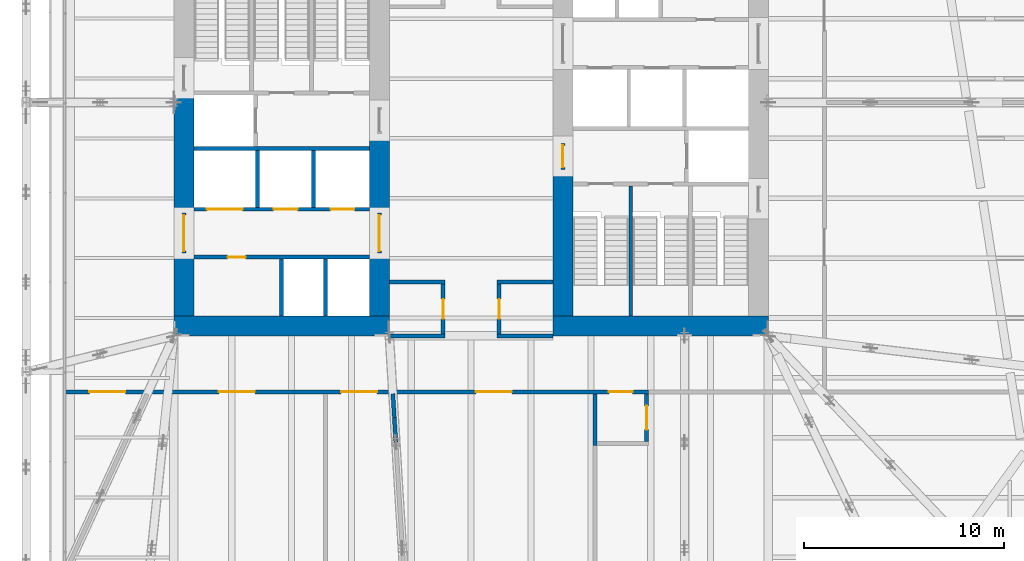
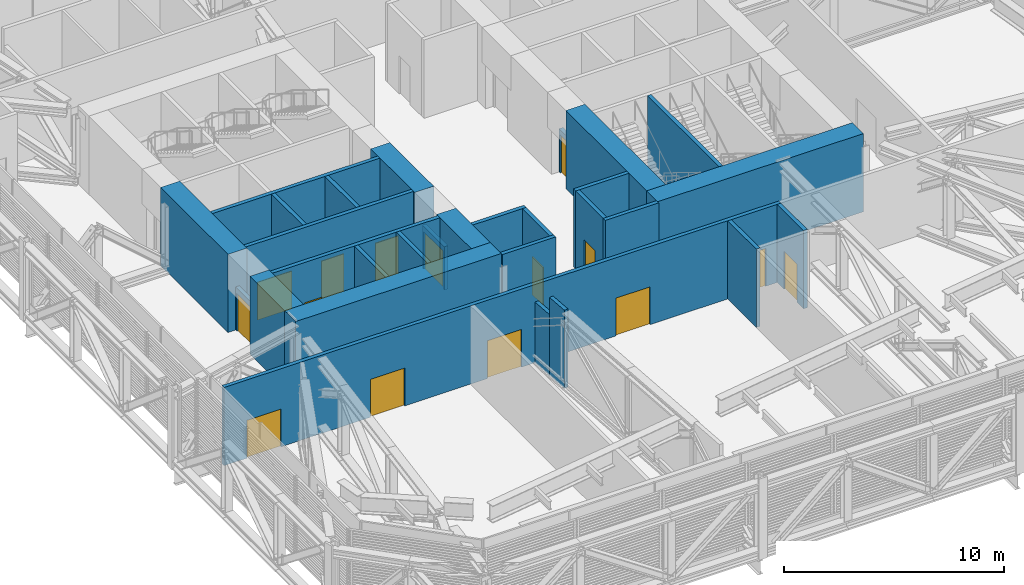
# One storey, part 21 of 31: 29 walls, 15 doors, 15 openings.
"""IFC4 building model written with IfcOpenShell, lengths in metres."""

from ifc_helpers import new_model, si_unit, direction, frame, frame_2d, origin, place, context, subcontext, project, spatial, rectangle, extrude, material, layer, layer_set, type_object, element, fill, save


model = new_model("IFC4")

# Units and contexts
model_context = context("Model", 3, precision=1e-05, world=origin(), true_north=direction((0.0, 1.0)))
body_context = subcontext(model_context, "Body", "Model", "MODEL_VIEW")
ifc_project = project(units=[si_unit("LENGTHUNIT", "METRE"), si_unit("AREAUNIT", "SQUARE_METRE"), si_unit("VOLUMEUNIT", "CUBIC_METRE"), si_unit("PLANEANGLEUNIT", "RADIAN"), si_unit("MASSUNIT", "GRAM", prefix="KILO")], contexts=[model_context])

# Site, building, storey
site_placement = place(None, origin())
site = spatial("IfcSite", under=ifc_project, at=site_placement, CompositionType="ELEMENT")
building_placement = place(site_placement, origin())
building = spatial("IfcBuilding", under=site, at=building_placement, Name="Millrace Tower", CompositionType="ELEMENT")
storey_placement = place(building_placement, frame((0.0, 0.0, 120.39990234375)))
storey = spatial("IfcBuildingStorey", under=building, at=storey_placement, Name="L26", CompositionType="ELEMENT", Elevation=120.39990234375)

# Walls
ifc_material_1 = material(Name="Concrete C80", Category="concrete")
ifc_layer_1 = layer(ifc_material_1, 1.0)
ifc_layer_set_1 = layer_set([ifc_layer_1], Name="Concrete C80")
wall_type_1 = type_object("IfcWallType", Name="Core wall 1000 Concrete C80", PredefinedType="SHEAR", material=ifc_layer_set_1)
wall_1_placement = place(storey_placement, frame((-14.89990234375, -9.39990234375, 0.0), z_axis=(0.0, 0.0, 1.0), x_axis=(1.0, 0.0, 0.0)))
element("IfcWall", 1, at=wall_1_placement, inside=storey, type_object=wall_type_1, Name="Core wall W L26", PredefinedType="SHEAR", context=body_context, shape_type="SweptSolid", body=[
    extrude(rectangle(XDim=10.7998046875, YDim=1.0, at=frame_2d((5.39990234375, 0.0))), origin(), (0.0, 0.0, 1.0), 4.340087890625),
])
wall_2_placement = place(storey_placement, frame((-14.39990234375, -8.89990234375, 0.0), z_axis=(0.0, 0.0, 1.0), x_axis=(0.0, 1.0, 0.0)))
element("IfcWall", 2, at=wall_2_placement, inside=storey, type_object=wall_type_1, Name="Core wall W L26", PredefinedType="SHEAR", context=body_context, shape_type="SweptSolid", body=[
    extrude(rectangle(XDim=3.14990234375, YDim=1.0, at=frame_2d((1.574951171875, 0.0))), origin(), (0.0, 0.0, 1.0), 4.340087890625),
])
wall_3_placement = place(storey_placement, frame((-14.39990234375, -3.75, 0.0), z_axis=(0.0, 0.0, 1.0), x_axis=(0.0, 1.0, 0.0)))
element("IfcWall", 3, at=wall_3_placement, inside=storey, type_object=wall_type_1, Name="Core wall W L26", PredefinedType="SHEAR", context=body_context, shape_type="SweptSolid", body=[
    extrude(rectangle(XDim=6.1298828125, YDim=1.0, at=frame_2d((3.06494140625, 0.0))), origin(), (0.0, 0.0, 1.0), 4.340087890625),
])
wall_4_placement = place(storey_placement, frame((-4.60009765625, -8.89990234375, 0.0), z_axis=(0.0, 0.0, 1.0), x_axis=(0.0, 1.0, 0.0)))
element("IfcWall", 4, at=wall_4_placement, inside=storey, type_object=wall_type_1, Name="Core wall W L26", PredefinedType="SHEAR", context=body_context, shape_type="SweptSolid", body=[
    extrude(rectangle(XDim=3.14990234375, YDim=1.0, at=frame_2d((1.574951171875, 0.0))), origin(), (0.0, 0.0, 1.0), 4.340087890625),
])
wall_5_placement = place(storey_placement, frame((-4.60009765625, -3.75, 0.0), z_axis=(0.0, 0.0, 1.0), x_axis=(0.0, 1.0, 0.0)))
element("IfcWall", 5, at=wall_5_placement, inside=storey, type_object=wall_type_1, Name="Core wall W L26", PredefinedType="SHEAR", context=body_context, shape_type="SweptSolid", body=[
    extrude(rectangle(XDim=4.0, YDim=1.0, at=frame_2d((2.0, 0.0))), origin(), (0.0, 0.0, 1.0), 4.340087890625),
])
wall_6_placement = place(storey_placement, frame((14.89990234375, -9.39990234375, 0.0), z_axis=(0.0, 0.0, 1.0), x_axis=(-1.0, 0.0, 0.0)))
element("IfcWall", 6, at=wall_6_placement, inside=storey, type_object=wall_type_1, Name="Core wall E L26", PredefinedType="SHEAR", context=body_context, shape_type="SweptSolid", body=[
    extrude(rectangle(XDim=10.7998046875, YDim=1.0, at=frame_2d((5.39990234375, 0.0))), origin(), (0.0, 0.0, 1.0), 4.340087890625),
])
wall_7_placement = place(storey_placement, frame((4.60009765625, -1.550048828125, 0.0), z_axis=(0.0, 0.0, 1.0), x_axis=(0.0, -1.0, 0.0)))
element("IfcWall", 7, at=wall_7_placement, inside=storey, type_object=wall_type_1, Name="Core wall E L26", PredefinedType="SHEAR", context=body_context, shape_type="SweptSolid", body=[
    extrude(rectangle(XDim=7.349853515625, YDim=1.0, at=frame_2d((3.6748046875, 0.0))), origin(), (0.0, 0.0, 1.0), 4.340087890625),
])
ifc_material_2 = material(Name="Masonry partition, fire-rated", Category="masonry")
ifc_layer_2 = layer(ifc_material_2, 0.199951171875)
ifc_layer_set_2 = layer_set([ifc_layer_2], Name="Masonry partition, fire-rated")
wall_type_2 = type_object("IfcWallType", Name="Corridor wall 200", PredefinedType="PARTITIONING", material=ifc_layer_set_2)
wall_8_placement = place(storey_placement, frame((-3.923095703125, -12.7998046875, 0.0), z_axis=(0.0, 0.0, 1.0), x_axis=(0.060961327081, -0.99814012874, 0.0)))
element("IfcWall", 8, at=wall_8_placement, inside=storey, type_object=wall_type_2, Name="Corridor wall L26", PredefinedType="PARTITIONING", context=body_context, shape_type="SweptSolid", body=[
    extrude(rectangle(XDim=1.201416015625, YDim=0.199951171875, at=frame_2d((0.6005859375, 0.0))), origin(), (0.0, 0.0, 1.0), 3.382568359375),
])
wall_9_placement = place(storey_placement, frame((-3.849853515625, -13.9990234375, 0.0), z_axis=(0.0, 0.0, 1.0), x_axis=(0.061017119263, -0.998136719672, 0.0)))
element("IfcWall", 9, at=wall_9_placement, inside=storey, type_object=wall_type_2, Name="Corridor wall L26", PredefinedType="PARTITIONING", context=body_context, shape_type="SweptSolid", body=[
    extrude(rectangle(XDim=1.228271484375, YDim=0.199951171875, at=frame_2d((0.6142578125, 0.0))), origin(), (0.0, 0.0, 1.0), 4.340087890625),
])

# Wall, openings, doors
wall_10_placement = place(storey_placement, frame((-20.330078125, -12.699951171875, 0.0), z_axis=(0.0, 0.0, 1.0), x_axis=(1.0, 0.0, 0.0)))
wall_10 = element("IfcWall", 10, at=wall_10_placement, inside=storey, type_object=wall_type_2, Name="Corridor wall L26", PredefinedType="PARTITIONING", context=body_context, shape_type="SweptSolid", body=[
    extrude(rectangle(XDim=29.22998046875, YDim=0.199951171875, at=frame_2d((14.614990234375, 0.0))), origin(), (0.0, 0.0, 1.0), 4.340087890625),
])
opening_1_placement = place(wall_10_placement, frame((1.19775390625, 0.0, 0.0)))
opening_1 = element("IfcOpeningElement", 11, at=opening_1_placement, cuts=wall_10, Name="Opening 26-P005", PredefinedType="OPENING", context=body_context, shape_type="SweptSolid", body=[
    extrude(rectangle(XDim=1.800048828125, YDim=2.10009765625, at=frame_2d((0.89990234375, 1.050048828125))), frame((0.0, 0.10986328125, 0.0), z_axis=(0.0, -1.0, 0.0), x_axis=(1.0, 0.0, 0.0)), (0.0, 0.0, 1.0), 0.219970703125),
])
opening_2_placement = place(wall_10_placement, frame((7.687744140625, 0.0, 0.0)))
opening_2 = element("IfcOpeningElement", 12, at=opening_2_placement, cuts=wall_10, Name="Opening 26-P006", PredefinedType="OPENING", context=body_context, shape_type="SweptSolid", body=[
    extrude(rectangle(XDim=1.800048828125, YDim=2.10009765625, at=frame_2d((0.89990234375, 1.050048828125))), frame((0.0, 0.10986328125, 0.0), z_axis=(0.0, -1.0, 0.0), x_axis=(1.0, 0.0, 0.0)), (0.0, 0.0, 1.0), 0.219970703125),
])
opening_3_placement = place(wall_10_placement, frame((13.8154296875, 0.0, 0.0)))
opening_3 = element("IfcOpeningElement", 13, at=opening_3_placement, cuts=wall_10, Name="Opening 26-P007", PredefinedType="OPENING", context=body_context, shape_type="SweptSolid", body=[
    extrude(rectangle(XDim=1.800048828125, YDim=2.10009765625, at=frame_2d((0.89990234375, 1.050048828125))), frame((0.0, 0.10986328125, 0.0), z_axis=(0.0, -1.0, 0.0), x_axis=(1.0, 0.0, 0.0)), (0.0, 0.0, 1.0), 0.219970703125),
])
opening_4_placement = place(wall_10_placement, frame((20.5654296875, 0.0, 0.0)))
opening_4 = element("IfcOpeningElement", 14, at=opening_4_placement, cuts=wall_10, Name="Opening 26-P008", PredefinedType="OPENING", context=body_context, shape_type="SweptSolid", body=[
    extrude(rectangle(XDim=1.800048828125, YDim=2.10009765625, at=frame_2d((0.89990234375, 1.050048828125))), frame((0.0, 0.10986328125, 0.0), z_axis=(0.0, -1.0, 0.0), x_axis=(1.0, 0.0, 0.0)), (0.0, 0.0, 1.0), 0.219970703125),
])
opening_5_placement = place(wall_10_placement, frame((27.22998046875, 0.0, 0.0)))
opening_5 = element("IfcOpeningElement", 15, at=opening_5_placement, cuts=wall_10, Name="Opening 26-P010", PredefinedType="OPENING", context=body_context, shape_type="SweptSolid", body=[
    extrude(rectangle(XDim=1.199951171875, YDim=2.10009765625, at=frame_2d((0.60009765625, 1.050048828125))), frame((0.0, 0.10986328125, 0.0), z_axis=(0.0, -1.0, 0.0), x_axis=(1.0, 0.0, 0.0)), (0.0, 0.0, 1.0), 0.219970703125),
])
ifc_material_3 = material(Name="Steel door set, fire-rated", Category="steel")
door_type_1 = type_object("IfcDoorType", Name="Corridor door 1200 x 2100", OperationType="SINGLE_SWING_LEFT", PredefinedType="DOOR", material=ifc_material_3)
door_1_placement = place(opening_5_placement, frame((1.199951171875, 0.0, 0.0), z_axis=(0.0, 0.0, 1.0), x_axis=(-1.0, 0.0, 0.0)))
door_1 = element("IfcDoor", 16, at=door_1_placement, inside=storey, type_object=door_type_1, Name="Door 26-P010", OperationType="SINGLE_SWING_LEFT", OverallHeight=2.10009765625, OverallWidth=1.199951171875, PredefinedType="DOOR", context=body_context, shape_type="SweptSolid", body=[
    extrude(rectangle(XDim=1.199951171875, YDim=2.10009765625, at=frame_2d((0.60009765625, 1.050048828125))), frame((0.0, 0.02490234375, 0.0), z_axis=(0.0, -1.0, 0.0), x_axis=(1.0, 0.0, 0.0)), (0.0, 0.0, 1.0), 0.050048828125),
])
fill(opening_5, door_1)
ifc_material_4 = material(Name="Steel door set, fire-rated", Category="steel")
door_type_2 = type_object("IfcDoorType", Name="Plant room door 1800 x 2100", OperationType="DOUBLE_DOOR_SINGLE_SWING", PredefinedType="DOOR", material=ifc_material_4)
door_2_placement = place(opening_1_placement, frame((1.800048828125, 0.0, 0.0), z_axis=(0.0, 0.0, 1.0), x_axis=(-1.0, 0.0, 0.0)))
door_2 = element("IfcDoor", 17, at=door_2_placement, inside=storey, type_object=door_type_2, Name="Door 26-P005", OperationType="DOUBLE_DOOR_SINGLE_SWING", OverallHeight=2.10009765625, OverallWidth=1.800048828125, PredefinedType="DOOR", context=body_context, shape_type="SweptSolid", body=[
    extrude(rectangle(XDim=1.800048828125, YDim=2.10009765625, at=frame_2d((0.89990234375, 1.050048828125))), frame((0.0, 0.02490234375, 0.0), z_axis=(0.0, -1.0, 0.0), x_axis=(1.0, 0.0, 0.0)), (0.0, 0.0, 1.0), 0.050048828125),
])
fill(opening_1, door_2)
door_3_placement = place(opening_2_placement, frame((1.800048828125, 0.0, 0.0), z_axis=(0.0, 0.0, 1.0), x_axis=(-1.0, 0.0, 0.0)))
door_3 = element("IfcDoor", 18, at=door_3_placement, inside=storey, type_object=door_type_2, Name="Door 26-P006", OperationType="DOUBLE_DOOR_SINGLE_SWING", OverallHeight=2.10009765625, OverallWidth=1.800048828125, PredefinedType="DOOR", context=body_context, shape_type="SweptSolid", body=[
    extrude(rectangle(XDim=1.800048828125, YDim=2.10009765625, at=frame_2d((0.89990234375, 1.050048828125))), frame((0.0, 0.02490234375, 0.0), z_axis=(0.0, -1.0, 0.0), x_axis=(1.0, 0.0, 0.0)), (0.0, 0.0, 1.0), 0.050048828125),
])
fill(opening_2, door_3)
door_4_placement = place(opening_3_placement, frame((1.800048828125, 0.0, 0.0), z_axis=(0.0, 0.0, 1.0), x_axis=(-1.0, 0.0, 0.0)))
door_4 = element("IfcDoor", 19, at=door_4_placement, inside=storey, type_object=door_type_2, Name="Door 26-P007", OperationType="DOUBLE_DOOR_SINGLE_SWING", OverallHeight=2.10009765625, OverallWidth=1.800048828125, PredefinedType="DOOR", context=body_context, shape_type="SweptSolid", body=[
    extrude(rectangle(XDim=1.800048828125, YDim=2.10009765625, at=frame_2d((0.89990234375, 1.050048828125))), frame((0.0, 0.02490234375, 0.0), z_axis=(0.0, -1.0, 0.0), x_axis=(1.0, 0.0, 0.0)), (0.0, 0.0, 1.0), 0.050048828125),
])
fill(opening_3, door_4)
door_5_placement = place(opening_4_placement, frame((1.800048828125, 0.0, 0.0), z_axis=(0.0, 0.0, 1.0), x_axis=(-1.0, 0.0, 0.0)))
door_5 = element("IfcDoor", 20, at=door_5_placement, inside=storey, type_object=door_type_2, Name="Door 26-P008", OperationType="DOUBLE_DOOR_SINGLE_SWING", OverallHeight=2.10009765625, OverallWidth=1.800048828125, PredefinedType="DOOR", context=body_context, shape_type="SweptSolid", body=[
    extrude(rectangle(XDim=1.800048828125, YDim=2.10009765625, at=frame_2d((0.89990234375, 1.050048828125))), frame((0.0, 0.02490234375, 0.0), z_axis=(0.0, -1.0, 0.0), x_axis=(1.0, 0.0, 0.0)), (0.0, 0.0, 1.0), 0.050048828125),
])
fill(opening_4, door_5)

# Walls
for number, where, z_axis, x_axis, name in (
    (21, (-4.10009765625, -9.89990234375, 0.0), (0.0, 0.0, 1.0), (1.0, 0.0, 0.0), "Corridor wall L26"),
    (22, (1.300048828125, -9.89990234375, 0.0), (0.0, 0.0, 1.0), (1.0, 0.0, 0.0), "Corridor wall L26"),
    (23, (-4.10009765625, -7.199951171875, 0.0), (0.0, 0.0, 1.0), (1.0, 0.0, 0.0), "Corridor wall L26"),
    (24, (1.300048828125, -7.199951171875, 0.0), (0.0, 0.0, 1.0), (1.0, 0.0, 0.0), "Corridor wall L26"),
):
    element("IfcWall", number, at=place(storey_placement, frame(where, z_axis=z_axis, x_axis=x_axis)), inside=storey, type_object=wall_type_2, Name=name, PredefinedType="PARTITIONING", context=body_context, shape_type="SweptSolid", body=[
        extrude(rectangle(XDim=2.800048828125, YDim=0.199951171875, at=frame_2d((1.39990234375, 0.0))), origin(), (0.0, 0.0, 1.0), 4.340087890625),
    ])
wall_11_placement = place(storey_placement, frame((6.199951171875, -15.39990234375, 0.0), z_axis=(0.0, 0.0, 1.0), x_axis=(0.0, 1.0, 0.0)))
element("IfcWall", 25, at=wall_11_placement, inside=storey, type_object=wall_type_2, Name="Corridor wall L26", PredefinedType="PARTITIONING", context=body_context, shape_type="SweptSolid", body=[
    extrude(rectangle(XDim=2.599853515625, YDim=0.199951171875, at=frame_2d((1.2998046875, 0.0))), origin(), (0.0, 0.0, 1.0), 4.340087890625),
])

# Wall, opening, door
wall_12_placement = place(storey_placement, frame((1.39990234375, -9.800048828125, 0.0), z_axis=(0.0, 0.0, 1.0), x_axis=(0.0, 1.0, 0.0)))
wall_12 = element("IfcWall", 26, at=wall_12_placement, inside=storey, type_object=wall_type_2, Name="Corridor wall L26", PredefinedType="PARTITIONING", context=body_context, shape_type="SweptSolid", body=[
    extrude(rectangle(XDim=2.5, YDim=0.199951171875, at=frame_2d((1.25, 0.0))), origin(), (0.0, 0.0, 1.0), 4.340087890625),
])
opening_6_placement = place(wall_12_placement, frame((0.75, 0.0, 0.0)))
opening_6 = element("IfcOpeningElement", 27, at=opening_6_placement, cuts=wall_12, Name="Opening 26-P004", PredefinedType="OPENING", context=body_context, shape_type="SweptSolid", body=[
    extrude(rectangle(XDim=1.0, YDim=2.10009765625, at=frame_2d((0.5, 1.050048828125))), frame((0.0, 0.10986328125, 0.0), z_axis=(0.0, -1.0, 0.0), x_axis=(1.0, 0.0, 0.0)), (0.0, 0.0, 1.0), 0.219970703125),
])
ifc_material_5 = material(Name="Steel door set, fire-rated", Category="steel")
door_type_3 = type_object("IfcDoorType", Name="Corridor door 1000 x 2100", OperationType="SINGLE_SWING_LEFT", PredefinedType="DOOR", material=ifc_material_5)
door_6_placement = place(opening_6_placement, frame((1.0, 0.0, 0.0), z_axis=(0.0, 0.0, 1.0), x_axis=(-1.0, 0.0, 0.0)))
door_6 = element("IfcDoor", 28, at=door_6_placement, inside=storey, type_object=door_type_3, Name="Door 26-P004", OperationType="SINGLE_SWING_LEFT", OverallHeight=2.10009765625, OverallWidth=1.0, PredefinedType="DOOR", context=body_context, shape_type="SweptSolid", body=[
    extrude(rectangle(XDim=1.0, YDim=2.10009765625, at=frame_2d((0.5, 1.050048828125))), frame((0.0, 0.02490234375, 0.0), z_axis=(0.0, -1.0, 0.0), x_axis=(1.0, 0.0, 0.0)), (0.0, 0.0, 1.0), 0.050048828125),
])
fill(opening_6, door_6)

wall_13_placement = place(storey_placement, frame((-1.39990234375, -9.800048828125, 0.0), z_axis=(0.0, 0.0, 1.0), x_axis=(0.0, 1.0, 0.0)))
wall_13 = element("IfcWall", 29, at=wall_13_placement, inside=storey, type_object=wall_type_2, Name="Corridor wall L26", PredefinedType="PARTITIONING", context=body_context, shape_type="SweptSolid", body=[
    extrude(rectangle(XDim=2.5, YDim=0.199951171875, at=frame_2d((1.25, 0.0))), origin(), (0.0, 0.0, 1.0), 4.340087890625),
])
opening_7_placement = place(wall_13_placement, frame((0.75, 0.0, 0.0)))
opening_7 = element("IfcOpeningElement", 30, at=opening_7_placement, cuts=wall_13, Name="Opening 26-P003", PredefinedType="OPENING", context=body_context, shape_type="SweptSolid", body=[
    extrude(rectangle(XDim=1.0, YDim=2.10009765625, at=frame_2d((0.5, 1.050048828125))), frame((0.0, 0.10986328125, 0.0), z_axis=(0.0, -1.0, 0.0), x_axis=(1.0, 0.0, 0.0)), (0.0, 0.0, 1.0), 0.219970703125),
])
door_7_placement = place(opening_7_placement, origin())
door_7 = element("IfcDoor", 31, at=door_7_placement, inside=storey, type_object=door_type_3, Name="Door 26-P003", OperationType="SINGLE_SWING_RIGHT", OverallHeight=2.10009765625, OverallWidth=1.0, PredefinedType="DOOR", context=body_context, shape_type="SweptSolid", body=[
    extrude(rectangle(XDim=1.0, YDim=2.10009765625, at=frame_2d((0.5, 1.050048828125))), frame((0.0, 0.02490234375, 0.0), z_axis=(0.0, -1.0, 0.0), x_axis=(1.0, 0.0, 0.0)), (0.0, 0.0, 1.0), 0.050048828125),
])
fill(opening_7, door_7)

ifc_material_6 = material(Name="Masonry partition, fire-rated", Category="masonry")
ifc_layer_3 = layer(ifc_material_6, 0.199951171875)
ifc_layer_set_3 = layer_set([ifc_layer_3], Name="Masonry partition, fire-rated")
wall_type_3 = type_object("IfcWallType", Name="Lift shaft wall 200", PredefinedType="PARTITIONING", material=ifc_layer_set_3)
wall_14_placement = place(storey_placement, frame((-13.89990234375, -5.949951171875, 0.0), z_axis=(0.0, 0.0, 1.0), x_axis=(1.0, 0.0, 0.0)))
wall_14 = element("IfcWall", 32, at=wall_14_placement, inside=storey, type_object=wall_type_3, Name="Lift shaft wall W L26", PredefinedType="PARTITIONING", context=body_context, shape_type="SweptSolid", body=[
    extrude(rectangle(XDim=8.7998046875, YDim=0.199951171875, at=frame_2d((4.39990234375, 0.0))), origin(), (0.0, 0.0, 1.0), 4.340087890625),
])
opening_8_placement = place(wall_14_placement, frame((1.699951171875, 0.0, 0.0)))
opening_8 = element("IfcOpeningElement", 33, at=opening_8_placement, cuts=wall_14, Name="Opening 26-C005", PredefinedType="OPENING", context=body_context, shape_type="SweptSolid", body=[
    extrude(rectangle(XDim=0.89990234375, YDim=2.10009765625, at=frame_2d((0.449951171875, 1.050048828125))), frame((0.0, 0.10986328125, 0.0), z_axis=(0.0, -1.0, 0.0), x_axis=(1.0, 0.0, 0.0)), (0.0, 0.0, 1.0), 0.219970703125),
])
ifc_material_7 = material(Name="Steel door, fire-rated", Category="steel")
door_type_4 = type_object("IfcDoorType", Name="Service room door 900 x 2100", OperationType="SINGLE_SWING_LEFT", PredefinedType="DOOR", material=ifc_material_7)
door_8_placement = place(opening_8_placement, frame((0.89990234375, 0.0, 0.0), z_axis=(0.0, 0.0, 1.0), x_axis=(-1.0, 0.0, 0.0)))
door_8 = element("IfcDoor", 34, at=door_8_placement, inside=storey, type_object=door_type_4, Name="Service room door 26-C005", OperationType="SINGLE_SWING_RIGHT", OverallHeight=2.10009765625, OverallWidth=0.89990234375, PredefinedType="DOOR", context=body_context, shape_type="SweptSolid", body=[
    extrude(rectangle(XDim=0.89990234375, YDim=2.10009765625, at=frame_2d((0.449951171875, 1.050048828125))), frame((0.0, 0.02490234375, 0.0), z_axis=(0.0, -1.0, 0.0), x_axis=(1.0, 0.0, 0.0)), (0.0, 0.0, 1.0), 0.050048828125),
])
fill(opening_8, door_8)

# Wall, openings, doors
wall_15_placement = place(storey_placement, frame((-13.89990234375, -3.550048828125, 0.0), z_axis=(0.0, 0.0, 1.0), x_axis=(1.0, 0.0, 0.0)))
wall_15 = element("IfcWall", 35, at=wall_15_placement, inside=storey, type_object=wall_type_3, Name="Lift shaft wall W L26", PredefinedType="PARTITIONING", context=body_context, shape_type="SweptSolid", body=[
    extrude(rectangle(XDim=8.7998046875, YDim=0.199951171875, at=frame_2d((4.39990234375, 0.0))), origin(), (0.0, 0.0, 1.0), 4.340087890625),
])
opening_9_placement = place(wall_15_placement, frame((0.64990234375, 0.0, 0.0)))
opening_9 = element("IfcOpeningElement", 36, at=opening_9_placement, cuts=wall_15, Name="Opening 26-LD05", PredefinedType="OPENING", context=body_context, shape_type="SweptSolid", body=[
    extrude(rectangle(XDim=1.800048828125, YDim=2.10009765625, at=frame_2d((0.89990234375, 1.050048828125))), frame((0.0, 0.10986328125, 0.0), z_axis=(0.0, -1.0, 0.0), x_axis=(1.0, 0.0, 0.0)), (0.0, 0.0, 1.0), 0.219970703125),
])
opening_10_placement = place(wall_15_placement, frame((4.0, 0.0, 0.0)))
opening_10 = element("IfcOpeningElement", 37, at=opening_10_placement, cuts=wall_15, Name="Opening 26-LD06", PredefinedType="OPENING", context=body_context, shape_type="SweptSolid", body=[
    extrude(rectangle(XDim=1.199951171875, YDim=2.10009765625, at=frame_2d((0.60009765625, 1.050048828125))), frame((0.0, 0.10986328125, 0.0), z_axis=(0.0, -1.0, 0.0), x_axis=(1.0, 0.0, 0.0)), (0.0, 0.0, 1.0), 0.219970703125),
])
opening_11_placement = place(wall_15_placement, frame((6.85009765625, 0.0, 0.0)))
opening_11 = element("IfcOpeningElement", 38, at=opening_11_placement, cuts=wall_15, Name="Opening 26-LD07", PredefinedType="OPENING", context=body_context, shape_type="SweptSolid", body=[
    extrude(rectangle(XDim=1.199951171875, YDim=2.10009765625, at=frame_2d((0.60009765625, 1.050048828125))), frame((0.0, 0.10986328125, 0.0), z_axis=(0.0, -1.0, 0.0), x_axis=(1.0, 0.0, 0.0)), (0.0, 0.0, 1.0), 0.219970703125),
])
ifc_material_8 = material(Name="Stainless steel, fire-rated", Category="steel")
door_type_5 = type_object("IfcDoorType", Name="Lift landing door 1200 x 2100", OperationType="DOUBLE_DOOR_SLIDING", PredefinedType="DOOR", material=ifc_material_8)
door_9_placement = place(opening_10_placement, origin())
door_9 = element("IfcDoor", 39, at=door_9_placement, inside=storey, type_object=door_type_5, Name="Lift landing door LF6 L26", OperationType="DOUBLE_DOOR_SLIDING", OverallHeight=2.10009765625, OverallWidth=1.199951171875, PredefinedType="DOOR", context=body_context, shape_type="SweptSolid", body=[
    extrude(rectangle(XDim=1.199951171875, YDim=2.10009765625, at=frame_2d((0.60009765625, 1.050048828125))), frame((0.0, 0.02490234375, 0.0), z_axis=(0.0, -1.0, 0.0), x_axis=(1.0, 0.0, 0.0)), (0.0, 0.0, 1.0), 0.050048828125),
])
fill(opening_10, door_9)
door_10_placement = place(opening_11_placement, origin())
door_10 = element("IfcDoor", 40, at=door_10_placement, inside=storey, type_object=door_type_5, Name="Lift landing door LF7 L26", OperationType="DOUBLE_DOOR_SLIDING", OverallHeight=2.10009765625, OverallWidth=1.199951171875, PredefinedType="DOOR", context=body_context, shape_type="SweptSolid", body=[
    extrude(rectangle(XDim=1.199951171875, YDim=2.10009765625, at=frame_2d((0.60009765625, 1.050048828125))), frame((0.0, 0.02490234375, 0.0), z_axis=(0.0, -1.0, 0.0), x_axis=(1.0, 0.0, 0.0)), (0.0, 0.0, 1.0), 0.050048828125),
])
fill(opening_11, door_10)
ifc_material_9 = material(Name="Stainless steel, fire-rated", Category="steel")
door_type_6 = type_object("IfcDoorType", Name="Lift landing door 1800 x 2100", OperationType="DOUBLE_DOOR_SLIDING", PredefinedType="DOOR", material=ifc_material_9)
door_11_placement = place(opening_9_placement, origin())
door_11 = element("IfcDoor", 41, at=door_11_placement, inside=storey, type_object=door_type_6, Name="Lift landing door LF5 L26", OperationType="DOUBLE_DOOR_SLIDING", OverallHeight=2.10009765625, OverallWidth=1.800048828125, PredefinedType="DOOR", context=body_context, shape_type="SweptSolid", body=[
    extrude(rectangle(XDim=1.800048828125, YDim=2.10009765625, at=frame_2d((0.89990234375, 1.050048828125))), frame((0.0, 0.02490234375, 0.0), z_axis=(0.0, -1.0, 0.0), x_axis=(1.0, 0.0, 0.0)), (0.0, 0.0, 1.0), 0.050048828125),
])
fill(opening_9, door_11)

# Walls
wall_16_placement = place(storey_placement, frame((-13.89990234375, -0.5, 0.0), z_axis=(0.0, 0.0, 1.0), x_axis=(1.0, 0.0, 0.0)))
element("IfcWall", 42, at=wall_16_placement, inside=storey, type_object=wall_type_3, Name="Lift shaft wall W L26", PredefinedType="PARTITIONING", context=body_context, shape_type="SweptSolid", body=[
    extrude(rectangle(XDim=8.7998046875, YDim=0.199951171875, at=frame_2d((4.39990234375, 0.0))), origin(), (0.0, 0.0, 1.0), 4.340087890625),
])
for number, where, z_axis, x_axis, name in (
    (43, (-9.5, -8.89990234375, 0.0), (0.0, 0.0, 1.0), (0.0, 1.0, 0.0), "Lift shaft wall W L26"),
    (44, (-7.300048828125, -8.89990234375, 0.0), (0.0, 0.0, 1.0), (0.0, 1.0, 0.0), "Lift shaft wall W L26"),
    (45, (-10.699951171875, -3.449951171875, 0.0), (0.0, 0.0, 1.0), (0.0, 1.0, 0.0), "Lift shaft wall W L26"),
    (46, (-7.89990234375, -3.449951171875, 0.0), (0.0, 0.0, 1.0), (0.0, 1.0, 0.0), "Lift shaft wall W L26"),
):
    element("IfcWall", number, at=place(storey_placement, frame(where, z_axis=z_axis, x_axis=x_axis)), inside=storey, type_object=wall_type_3, Name=name, PredefinedType="PARTITIONING", context=body_context, shape_type="SweptSolid", body=[
        extrude(rectangle(XDim=2.849853515625, YDim=0.199951171875, at=frame_2d((1.4248046875, 0.0))), origin(), (0.0, 0.0, 1.0), 4.340087890625),
    ])

# Wall, opening, door
ifc_material_10 = material(Name="Masonry partition, fire-rated", Category="masonry")
ifc_layer_4 = layer(ifc_material_10, 0.199951171875)
ifc_layer_set_4 = layer_set([ifc_layer_4], Name="Masonry partition, fire-rated")
wall_type_4 = type_object("IfcWallType", Name="Lobby wall 200", PredefinedType="PARTITIONING", material=ifc_layer_set_4)
wall_17_placement = place(storey_placement, frame((-14.39990234375, -5.75, 0.0), z_axis=(0.0, 0.0, 1.0), x_axis=(0.0, 1.0, 0.0)))
wall_17 = element("IfcWall", 47, at=wall_17_placement, inside=storey, type_object=wall_type_4, Name="Lobby wall W L26", PredefinedType="PARTITIONING", context=body_context, shape_type="SweptSolid", body=[
    extrude(rectangle(XDim=2.0, YDim=0.199951171875, at=frame_2d((1.0, 0.0))), origin(), (0.0, 0.0, 1.0), 2.400146484375),
])
opening_12_placement = place(wall_17_placement, frame((0.10009765625, 0.0, 0.0)))
opening_12 = element("IfcOpeningElement", 48, at=opening_12_placement, cuts=wall_17, Name="Opening 26-C001", PredefinedType="OPENING", context=body_context, shape_type="SweptSolid", body=[
    extrude(rectangle(XDim=1.800048828125, YDim=2.10009765625, at=frame_2d((0.89990234375, 1.050048828125))), frame((0.0, 0.10986328125, 0.0), z_axis=(0.0, -1.0, 0.0), x_axis=(1.0, 0.0, 0.0)), (0.0, 0.0, 1.0), 0.219970703125),
])
ifc_material_11 = material(Name="Steel door, fire-rated", Category="steel")
door_type_7 = type_object("IfcDoorType", Name="Lobby door 1800 x 2100", OperationType="DOUBLE_DOOR_SINGLE_SWING", PredefinedType="DOOR", material=ifc_material_11)
door_12_placement = place(opening_12_placement, origin())
door_12 = element("IfcDoor", 49, at=door_12_placement, inside=storey, type_object=door_type_7, Name="Lobby door 26-C001", OperationType="DOUBLE_DOOR_SINGLE_SWING", OverallHeight=2.10009765625, OverallWidth=1.800048828125, PredefinedType="DOOR", context=body_context, shape_type="SweptSolid", body=[
    extrude(rectangle(XDim=1.800048828125, YDim=2.10009765625, at=frame_2d((0.89990234375, 1.050048828125))), frame((0.0, 0.02490234375, 0.0), z_axis=(0.0, -1.0, 0.0), x_axis=(1.0, 0.0, 0.0)), (0.0, 0.0, 1.0), 0.050048828125),
])
fill(opening_12, door_12)

wall_18_placement = place(storey_placement, frame((-4.60009765625, -5.75, 0.0), z_axis=(0.0, 0.0, 1.0), x_axis=(0.0, 1.0, 0.0)))
wall_18 = element("IfcWall", 50, at=wall_18_placement, inside=storey, type_object=wall_type_4, Name="Lobby wall W L26", PredefinedType="PARTITIONING", context=body_context, shape_type="SweptSolid", body=[
    extrude(rectangle(XDim=2.0, YDim=0.199951171875, at=frame_2d((1.0, 0.0))), origin(), (0.0, 0.0, 1.0), 2.400146484375),
])
opening_13_placement = place(wall_18_placement, frame((0.10009765625, 0.0, 0.0)))
opening_13 = element("IfcOpeningElement", 51, at=opening_13_placement, cuts=wall_18, Name="Opening 26-C003", PredefinedType="OPENING", context=body_context, shape_type="SweptSolid", body=[
    extrude(rectangle(XDim=1.800048828125, YDim=2.10009765625, at=frame_2d((0.89990234375, 1.050048828125))), frame((0.0, 0.10986328125, 0.0), z_axis=(0.0, -1.0, 0.0), x_axis=(1.0, 0.0, 0.0)), (0.0, 0.0, 1.0), 0.219970703125),
])
door_13_placement = place(opening_13_placement, origin())
door_13 = element("IfcDoor", 52, at=door_13_placement, inside=storey, type_object=door_type_7, Name="Lobby door 26-C003", OperationType="DOUBLE_DOOR_SINGLE_SWING", OverallHeight=2.10009765625, OverallWidth=1.800048828125, PredefinedType="DOOR", context=body_context, shape_type="SweptSolid", body=[
    extrude(rectangle(XDim=1.800048828125, YDim=2.10009765625, at=frame_2d((0.89990234375, 1.050048828125))), frame((0.0, 0.02490234375, 0.0), z_axis=(0.0, -1.0, 0.0), x_axis=(1.0, 0.0, 0.0)), (0.0, 0.0, 1.0), 0.050048828125),
])
fill(opening_13, door_13)

wall_19_placement = place(storey_placement, frame((4.60009765625, -0.25, 0.0), z_axis=(0.0, 0.0, 1.0), x_axis=(0.0, -1.0, 0.0)))
wall_19 = element("IfcWall", 53, at=wall_19_placement, inside=storey, type_object=wall_type_4, Name="Lobby wall E L26", PredefinedType="PARTITIONING", context=body_context, shape_type="SweptSolid", body=[
    extrude(rectangle(XDim=1.300048828125, YDim=0.199951171875, at=frame_2d((0.64990234375, 0.0))), origin(), (0.0, 0.0, 1.0), 2.400146484375),
])
opening_14_placement = place(wall_19_placement, frame((0.10009765625, 0.0, 0.0)))
opening_14 = element("IfcOpeningElement", 54, at=opening_14_placement, cuts=wall_19, Name="Opening 26-C011", PredefinedType="OPENING", context=body_context, shape_type="SweptSolid", body=[
    extrude(rectangle(XDim=1.10009765625, YDim=2.10009765625, at=frame_2d((0.550048828125, 1.050048828125))), frame((0.0, 0.10986328125, 0.0), z_axis=(0.0, -1.0, 0.0), x_axis=(1.0, 0.0, 0.0)), (0.0, 0.0, 1.0), 0.219970703125),
])
ifc_material_12 = material(Name="Steel door, fire-rated", Category="steel")
door_type_8 = type_object("IfcDoorType", Name="Lobby door 1100 x 2100", OperationType="SINGLE_SWING_LEFT", PredefinedType="DOOR", material=ifc_material_12)
door_14_placement = place(opening_14_placement, origin())
door_14 = element("IfcDoor", 55, at=door_14_placement, inside=storey, type_object=door_type_8, Name="Lobby door 26-C011", OperationType="SINGLE_SWING_RIGHT", OverallHeight=2.10009765625, OverallWidth=1.10009765625, PredefinedType="DOOR", context=body_context, shape_type="SweptSolid", body=[
    extrude(rectangle(XDim=1.10009765625, YDim=2.10009765625, at=frame_2d((0.550048828125, 1.050048828125))), frame((0.0, 0.02490234375, 0.0), z_axis=(0.0, -1.0, 0.0), x_axis=(1.0, 0.0, 0.0)), (0.0, 0.0, 1.0), 0.050048828125),
])
fill(opening_14, door_14)

ifc_material_13 = material(Name="Masonry partition, fire-rated", Category="masonry")
ifc_layer_5 = layer(ifc_material_13, 0.199951171875)
ifc_layer_set_5 = layer_set([ifc_layer_5], Name="Masonry partition, fire-rated")
wall_type_5 = type_object("IfcWallType", Name="Refuge area wall 200", PredefinedType="PARTITIONING", material=ifc_layer_set_5)
wall_20_placement = place(storey_placement, frame((8.800048828125, -15.199951171875, 0.0), z_axis=(0.0, 0.0, 1.0), x_axis=(0.0, 1.0, 0.0)))
wall_20 = element("IfcWall", 56, at=wall_20_placement, inside=storey, type_object=wall_type_5, Name="Refuge area wall L26", PredefinedType="PARTITIONING", context=body_context, shape_type="SweptSolid", body=[
    extrude(rectangle(XDim=2.39990234375, YDim=0.199951171875, at=frame_2d((1.199951171875, 0.0))), origin(), (0.0, 0.0, 1.0), 4.340087890625),
])
opening_15_placement = place(wall_20_placement, frame((0.60009765625, 0.0, 0.0)))
opening_15 = element("IfcOpeningElement", 57, at=opening_15_placement, cuts=wall_20, Name="Opening 26-P009", PredefinedType="OPENING", context=body_context, shape_type="SweptSolid", body=[
    extrude(rectangle(XDim=1.199951171875, YDim=2.10009765625, at=frame_2d((0.60009765625, 1.050048828125))), frame((0.0, 0.10986328125, 0.0), z_axis=(0.0, -1.0, 0.0), x_axis=(1.0, 0.0, 0.0)), (0.0, 0.0, 1.0), 0.219970703125),
])
ifc_material_14 = material(Name="Steel door set, fire-rated", Category="steel")
door_type_9 = type_object("IfcDoorType", Name="Refuge door 1200 x 2100", OperationType="SINGLE_SWING_LEFT", PredefinedType="DOOR", material=ifc_material_14)
door_15_placement = place(opening_15_placement, frame((1.199951171875, 0.0, 0.0), z_axis=(0.0, 0.0, 1.0), x_axis=(-1.0, 0.0, 0.0)))
door_15 = element("IfcDoor", 58, at=door_15_placement, inside=storey, type_object=door_type_9, Name="Door 26-P009", OperationType="SINGLE_SWING_LEFT", OverallHeight=2.10009765625, OverallWidth=1.199951171875, PredefinedType="DOOR", context=body_context, shape_type="SweptSolid", body=[
    extrude(rectangle(XDim=1.199951171875, YDim=2.10009765625, at=frame_2d((0.60009765625, 1.050048828125))), frame((0.0, 0.02490234375, 0.0), z_axis=(0.0, -1.0, 0.0), x_axis=(1.0, 0.0, 0.0)), (0.0, 0.0, 1.0), 0.050048828125),
])
fill(opening_15, door_15)

# Wall
ifc_material_15 = material(Name="Concrete C40", Category="concrete")
ifc_layer_6 = layer(ifc_material_15, 0.199951171875)
ifc_layer_set_6 = layer_set([ifc_layer_6], Name="Concrete C40")
wall_type_6 = type_object("IfcWallType", Name="Stair enclosure wall 200 Concrete C40", PredefinedType="SHEAR", material=ifc_layer_set_6)
wall_21_placement = place(storey_placement, frame((8.0, -2.3798828125, 0.0), z_axis=(0.0, 0.0, 1.0), x_axis=(0.0, -1.0, 0.0)))
element("IfcWall", 59, at=wall_21_placement, inside=storey, type_object=wall_type_6, Name="Stair enclosure wall E L26", PredefinedType="SHEAR", context=body_context, shape_type="SweptSolid", body=[
    extrude(rectangle(XDim=6.52001953125, YDim=0.199951171875, at=frame_2d((3.260009765625, 0.0))), origin(), (0.0, 0.0, 1.0), 4.340087890625),
])

save(model, "model.ifc")
